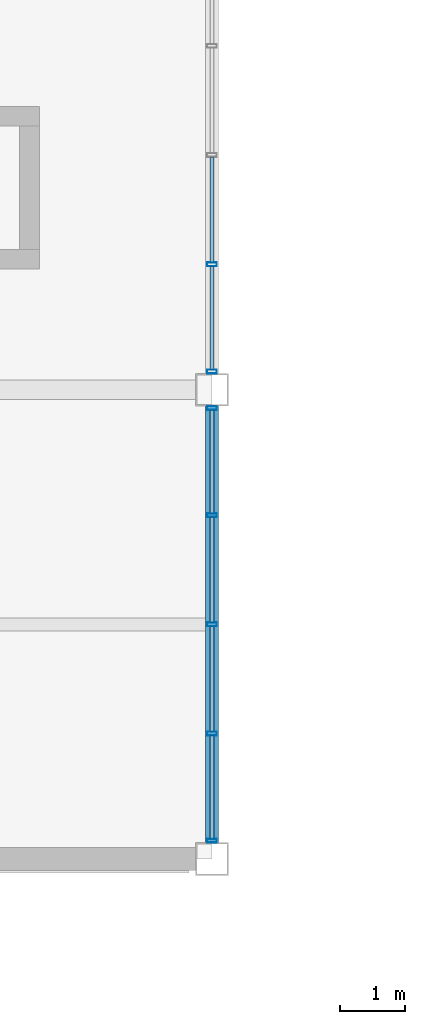
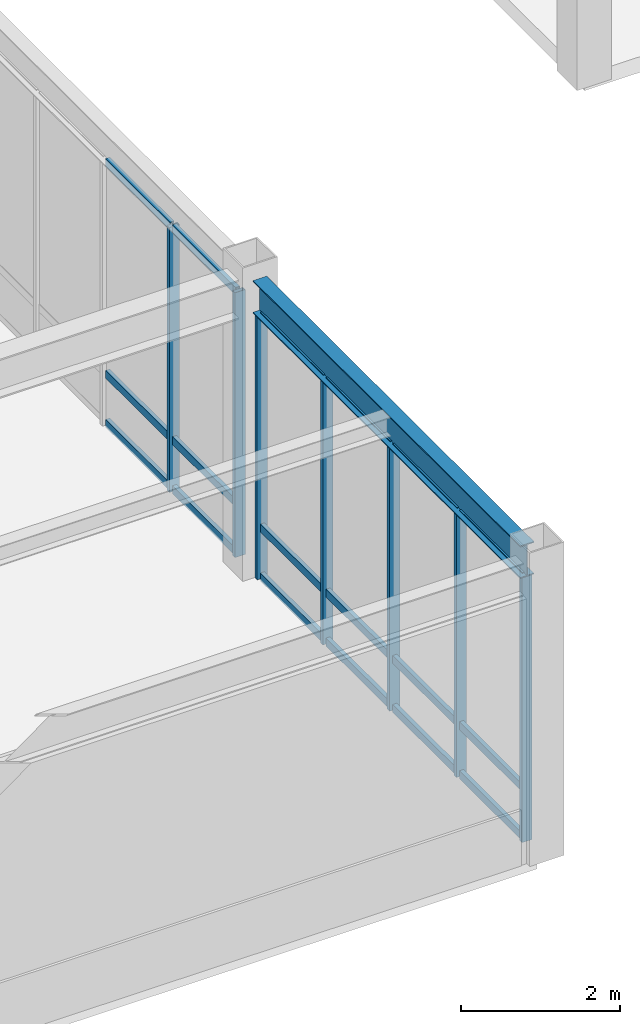
# One storey, part 16 of 112: 25 members, 1 beam, 2 elements without a shape of their own.
"""IFC4 building model written with IfcOpenShell, lengths in metres."""

from ifc_helpers import new_model, si_unit, direction, frame, origin, origin_2d, place, context, subcontext, project, spatial, hollow_rectangle, i_section, extrude, material, material_profile, profile_set, type_object, element, aggregate, save


model = new_model("IFC4")

# Units and contexts
model_context = context("Model", 3, precision=1e-05, world=origin(), true_north=direction((0.0, 1.0)))
body_context = subcontext(model_context, "Body", "Model", "MODEL_VIEW")
ifc_project = project(units=[si_unit("LENGTHUNIT", "METRE"), si_unit("AREAUNIT", "SQUARE_METRE"), si_unit("VOLUMEUNIT", "CUBIC_METRE"), si_unit("PLANEANGLEUNIT", "RADIAN"), si_unit("MASSUNIT", "GRAM", prefix="KILO")], contexts=[model_context])

# Site, building, storey
site_placement = place(None, origin())
site = spatial("IfcSite", under=ifc_project, at=site_placement, CompositionType="ELEMENT")
building_placement = place(site_placement, origin())
building = spatial("IfcBuilding", under=site, at=building_placement, Name="Kazanami Central Library", CompositionType="ELEMENT")
storey_placement = place(building_placement, origin())
storey = spatial("IfcBuildingStorey", under=building, at=storey_placement, Name="L01", CompositionType="ELEMENT", Elevation=0.0)

# Beam
ifc_material_1 = material(Name="Steel SN490B (325 MPa)", Category="steel")
ifc_material_profile_1 = material_profile(ifc_material_1, i_section(OverallWidth=0.199951171875, OverallDepth=0.5, WebThickness=0.010009765625, FlangeThickness=0.01611328125, at=origin_2d()), Name="H-500x200x10x16")
ifc_profile_set_1 = profile_set([ifc_material_profile_1], Name="Steel SN490B (325 MPa)")
beam_type = type_object("IfcBeamType", Name="BM-SP-1", PredefinedType="SPANDREL", material=ifc_profile_set_1)
beam_placement = place(storey_placement, frame((36.0, 0.248046875, 4.304931640625), z_axis=(0.0, 1.0, 0.0), x_axis=(-1.0, 0.0, 0.0)))
element("IfcBeam", 1, at=beam_placement, inside=storey, type_object=beam_type, Name="Girder SP-1 L01 5/A-B", PredefinedType="SPANDREL", context=body_context, shape_type="SweptSolid", body=[
    extrude(i_section(OverallWidth=0.199951171875, OverallDepth=0.5, WebThickness=0.010009765625, FlangeThickness=0.01611328125, at=origin_2d()), origin(), (0.0, 0.0, 1.0), 6.703857421875),
])

# Curtain wall, members
ifc_material_2 = material(Name="Acid-Etched Low-E Laminated Glass", Category="glass")
curtain_wall_type = type_object("IfcCurtainWallType", Name="CW-6700x4055-M180", PredefinedType="USERDEFINED", material=ifc_material_2)
curtain_wall_1_placement = place(storey_placement, origin())
curtain_wall_1 = element("IfcCurtainWall", 2, at=curtain_wall_1_placement, inside=storey, type_object=curtain_wall_type, Name="Covered Link Bridge Curtain Wall CW-09 L01 E-5-00", ObjectType="UNITISED CURTAIN WALL", PredefinedType="USERDEFINED")
ifc_material_3 = material(Name="Anodised Aluminium A6063-T5", Category="aluminium")
ifc_material_profile_2 = material_profile(ifc_material_3, hollow_rectangle(XDim=0.06005859375, YDim=0.14990234375, WallThickness=0.00390625, at=origin_2d()), Name="ALU-MULL-60x150x4")
ifc_profile_set_2 = profile_set([ifc_material_profile_2], Name="Anodised Aluminium A6063-T5")
member_type_1 = type_object("IfcMemberType", Name="MEM-CW-M3", PredefinedType="MULLION", material=ifc_profile_set_2)
member_1_placement = place(storey_placement, frame((36.0, 6.919921875, 0.0), z_axis=(0.0, 0.0, 1.0), x_axis=(0.0, -1.0, 0.0)))
member_1 = element("IfcMember", 3, at=member_1_placement, type_object=member_type_1, Name="CW-09 mullion 1", PredefinedType="MULLION", context=body_context, shape_type="SweptSolid", body=[
    extrude(hollow_rectangle(XDim=0.06005859375, YDim=0.14990234375, WallThickness=0.00390625, at=origin_2d()), origin(), (0.0, 0.0, 1.0), 4.054931640625),
])
member_2_placement = place(storey_placement, frame((36.0, 5.27490234375, 0.0), z_axis=(0.0, 0.0, 1.0), x_axis=(0.0, -1.0, 0.0)))
member_2 = element("IfcMember", 4, at=member_2_placement, type_object=member_type_1, Name="CW-09 mullion 2", PredefinedType="MULLION", context=body_context, shape_type="SweptSolid", body=[
    extrude(hollow_rectangle(XDim=0.06005859375, YDim=0.14990234375, WallThickness=0.00390625, at=origin_2d()), origin(), (0.0, 0.0, 1.0), 4.054931640625),
])
member_3_placement = place(storey_placement, frame((36.0, 3.60009765625, 0.0), z_axis=(0.0, 0.0, 1.0), x_axis=(0.0, -1.0, 0.0)))
member_3 = element("IfcMember", 5, at=member_3_placement, type_object=member_type_1, Name="CW-09 mullion 3", PredefinedType="MULLION", context=body_context, shape_type="SweptSolid", body=[
    extrude(hollow_rectangle(XDim=0.06005859375, YDim=0.14990234375, WallThickness=0.00390625, at=origin_2d()), origin(), (0.0, 0.0, 1.0), 4.054931640625),
])
member_4_placement = place(storey_placement, frame((36.0, 1.925048828125, 0.0), z_axis=(0.0, 0.0, 1.0), x_axis=(0.0, -1.0, 0.0)))
member_4 = element("IfcMember", 6, at=member_4_placement, type_object=member_type_1, Name="CW-09 mullion 4", PredefinedType="MULLION", context=body_context, shape_type="SweptSolid", body=[
    extrude(hollow_rectangle(XDim=0.06005859375, YDim=0.14990234375, WallThickness=0.00390625, at=origin_2d()), origin(), (0.0, 0.0, 1.0), 4.054931640625),
])
member_5_placement = place(storey_placement, frame((36.0, 0.280029296875, 0.0), z_axis=(0.0, 0.0, 1.0), x_axis=(0.0, -1.0, 0.0)))
member_5 = element("IfcMember", 7, at=member_5_placement, type_object=member_type_1, Name="CW-09 mullion 5", PredefinedType="MULLION", context=body_context, shape_type="SweptSolid", body=[
    extrude(hollow_rectangle(XDim=0.06005859375, YDim=0.14990234375, WallThickness=0.00390625, at=origin_2d()), origin(), (0.0, 0.0, 1.0), 4.054931640625),
])

curtain_wall_2_placement = place(storey_placement, origin())
curtain_wall_2 = element("IfcCurtainWall", 8, at=curtain_wall_2_placement, inside=storey, type_object=curtain_wall_type, Name="Covered Link Bridge Curtain Wall CW-09 L01 E-5-01", ObjectType="UNITISED CURTAIN WALL", PredefinedType="USERDEFINED")
member_6_placement = place(storey_placement, frame((36.0, 9.125, 0.0), z_axis=(0.0, 0.0, 1.0), x_axis=(0.0, -1.0, 0.0)))
member_6 = element("IfcMember", 9, at=member_6_placement, type_object=member_type_1, Name="CW-09 mullion 4", PredefinedType="MULLION", context=body_context, shape_type="SweptSolid", body=[
    extrude(hollow_rectangle(XDim=0.06005859375, YDim=0.14990234375, WallThickness=0.00390625, at=origin_2d()), origin(), (0.0, 0.0, 1.0), 4.054931640625),
])
member_7_placement = place(storey_placement, frame((36.0, 7.47998046875, 0.0), z_axis=(0.0, 0.0, 1.0), x_axis=(0.0, -1.0, 0.0)))
member_7 = element("IfcMember", 10, at=member_7_placement, type_object=member_type_1, Name="CW-09 mullion 5", PredefinedType="MULLION", context=body_context, shape_type="SweptSolid", body=[
    extrude(hollow_rectangle(XDim=0.06005859375, YDim=0.14990234375, WallThickness=0.00390625, at=origin_2d()), origin(), (0.0, 0.0, 1.0), 4.054931640625),
])

# Member
ifc_material_profile_3 = material_profile(ifc_material_3, hollow_rectangle(XDim=0.06005859375, YDim=0.1201171875, WallThickness=0.00341796875, at=origin_2d()), Name="ALU-TRAN-60x120x3.5")
ifc_profile_set_3 = profile_set([ifc_material_profile_3], Name="Anodised Aluminium A6063-T5")
member_type_2 = type_object("IfcMemberType", Name="MEM-CW-T3", PredefinedType="USERDEFINED", material=ifc_profile_set_3)
member_8_placement = place(storey_placement, frame((36.0, 6.889892578125, 0.030029296875), z_axis=(0.0, -1.0, 0.0), x_axis=(1.0, 0.0, 0.0)))
member_8 = element("IfcMember", 11, at=member_8_placement, type_object=member_type_2, Name="CW-09 transom 1.1", ObjectType="TRANSOM", PredefinedType="USERDEFINED", context=body_context, shape_type="SweptSolid", body=[
    extrude(hollow_rectangle(XDim=0.06005859375, YDim=0.1201171875, WallThickness=0.00341796875, at=origin_2d()), origin(), (0.0, 0.0, 1.0), 1.5849609375),
])

member_9_placement = place(storey_placement, frame((36.0, 6.889892578125, 0.780029296875), z_axis=(0.0, -1.0, 0.0), x_axis=(1.0, 0.0, 0.0)))
member_9 = element("IfcMember", 12, at=member_9_placement, type_object=member_type_2, Name="CW-09 transom 1.2", ObjectType="TRANSOM", PredefinedType="USERDEFINED", context=body_context, shape_type="SweptSolid", body=[
    extrude(hollow_rectangle(XDim=0.06005859375, YDim=0.1201171875, WallThickness=0.00341796875, at=origin_2d()), origin(), (0.0, 0.0, 1.0), 1.5849609375),
])

member_10_placement = place(storey_placement, frame((36.0, 6.889892578125, 4.02490234375), z_axis=(0.0, -1.0, 0.0), x_axis=(1.0, 0.0, 0.0)))
member_10 = element("IfcMember", 13, at=member_10_placement, type_object=member_type_2, Name="CW-09 transom 1.3", ObjectType="TRANSOM", PredefinedType="USERDEFINED", context=body_context, shape_type="SweptSolid", body=[
    extrude(hollow_rectangle(XDim=0.06005859375, YDim=0.1201171875, WallThickness=0.00341796875, at=origin_2d()), origin(), (0.0, 0.0, 1.0), 1.5849609375),
])

member_11_placement = place(storey_placement, frame((36.0, 5.2451171875, 0.030029296875), z_axis=(0.0, -1.0, 0.0), x_axis=(1.0, 0.0, 0.0)))
member_11 = element("IfcMember", 14, at=member_11_placement, type_object=member_type_2, Name="CW-09 transom 2.1", ObjectType="TRANSOM", PredefinedType="USERDEFINED", context=body_context, shape_type="SweptSolid", body=[
    extrude(hollow_rectangle(XDim=0.06005859375, YDim=0.1201171875, WallThickness=0.00341796875, at=origin_2d()), origin(), (0.0, 0.0, 1.0), 1.615234375),
])

member_12_placement = place(storey_placement, frame((36.0, 5.2451171875, 0.780029296875), z_axis=(0.0, -1.0, 0.0), x_axis=(1.0, 0.0, 0.0)))
member_12 = element("IfcMember", 15, at=member_12_placement, type_object=member_type_2, Name="CW-09 transom 2.2", ObjectType="TRANSOM", PredefinedType="USERDEFINED", context=body_context, shape_type="SweptSolid", body=[
    extrude(hollow_rectangle(XDim=0.06005859375, YDim=0.1201171875, WallThickness=0.00341796875, at=origin_2d()), origin(), (0.0, 0.0, 1.0), 1.615234375),
])

member_13_placement = place(storey_placement, frame((36.0, 5.2451171875, 4.02490234375), z_axis=(0.0, -1.0, 0.0), x_axis=(1.0, 0.0, 0.0)))
member_13 = element("IfcMember", 16, at=member_13_placement, type_object=member_type_2, Name="CW-09 transom 2.3", ObjectType="TRANSOM", PredefinedType="USERDEFINED", context=body_context, shape_type="SweptSolid", body=[
    extrude(hollow_rectangle(XDim=0.06005859375, YDim=0.1201171875, WallThickness=0.00341796875, at=origin_2d()), origin(), (0.0, 0.0, 1.0), 1.615234375),
])

member_14_placement = place(storey_placement, frame((36.0, 3.570068359375, 0.030029296875), z_axis=(0.0, -1.0, 0.0), x_axis=(1.0, 0.0, 0.0)))
member_14 = element("IfcMember", 17, at=member_14_placement, type_object=member_type_2, Name="CW-09 transom 3.1", ObjectType="TRANSOM", PredefinedType="USERDEFINED", context=body_context, shape_type="SweptSolid", body=[
    extrude(hollow_rectangle(XDim=0.06005859375, YDim=0.1201171875, WallThickness=0.00341796875, at=origin_2d()), origin(), (0.0, 0.0, 1.0), 1.614990234375),
])

member_15_placement = place(storey_placement, frame((36.0, 3.570068359375, 0.780029296875), z_axis=(0.0, -1.0, 0.0), x_axis=(1.0, 0.0, 0.0)))
member_15 = element("IfcMember", 18, at=member_15_placement, type_object=member_type_2, Name="CW-09 transom 3.2", ObjectType="TRANSOM", PredefinedType="USERDEFINED", context=body_context, shape_type="SweptSolid", body=[
    extrude(hollow_rectangle(XDim=0.06005859375, YDim=0.1201171875, WallThickness=0.00341796875, at=origin_2d()), origin(), (0.0, 0.0, 1.0), 1.614990234375),
])

member_16_placement = place(storey_placement, frame((36.0, 3.570068359375, 4.02490234375), z_axis=(0.0, -1.0, 0.0), x_axis=(1.0, 0.0, 0.0)))
member_16 = element("IfcMember", 19, at=member_16_placement, type_object=member_type_2, Name="CW-09 transom 3.3", ObjectType="TRANSOM", PredefinedType="USERDEFINED", context=body_context, shape_type="SweptSolid", body=[
    extrude(hollow_rectangle(XDim=0.06005859375, YDim=0.1201171875, WallThickness=0.00341796875, at=origin_2d()), origin(), (0.0, 0.0, 1.0), 1.614990234375),
])

member_17_placement = place(storey_placement, frame((36.0, 1.89501953125, 0.030029296875), z_axis=(0.0, -1.0, 0.0), x_axis=(1.0, 0.0, 0.0)))
member_17 = element("IfcMember", 20, at=member_17_placement, type_object=member_type_2, Name="CW-09 transom 4.1", ObjectType="TRANSOM", PredefinedType="USERDEFINED", context=body_context, shape_type="SweptSolid", body=[
    extrude(hollow_rectangle(XDim=0.06005859375, YDim=0.1201171875, WallThickness=0.00341796875, at=origin_2d()), origin(), (0.0, 0.0, 1.0), 1.5849609375),
])

member_18_placement = place(storey_placement, frame((36.0, 1.89501953125, 0.780029296875), z_axis=(0.0, -1.0, 0.0), x_axis=(1.0, 0.0, 0.0)))
member_18 = element("IfcMember", 21, at=member_18_placement, type_object=member_type_2, Name="CW-09 transom 4.2", ObjectType="TRANSOM", PredefinedType="USERDEFINED", context=body_context, shape_type="SweptSolid", body=[
    extrude(hollow_rectangle(XDim=0.06005859375, YDim=0.1201171875, WallThickness=0.00341796875, at=origin_2d()), origin(), (0.0, 0.0, 1.0), 1.5849609375),
])

member_19_placement = place(storey_placement, frame((36.0, 1.89501953125, 4.02490234375), z_axis=(0.0, -1.0, 0.0), x_axis=(1.0, 0.0, 0.0)))
member_19 = element("IfcMember", 22, at=member_19_placement, type_object=member_type_2, Name="CW-09 transom 4.3", ObjectType="TRANSOM", PredefinedType="USERDEFINED", context=body_context, shape_type="SweptSolid", body=[
    extrude(hollow_rectangle(XDim=0.06005859375, YDim=0.1201171875, WallThickness=0.00341796875, at=origin_2d()), origin(), (0.0, 0.0, 1.0), 1.5849609375),
])

aggregate(curtain_wall_1, [member_1, member_2, member_3, member_4, member_5, member_8, member_9, member_10, member_11, member_12, member_13, member_14, member_15, member_16, member_17, member_18, member_19])

member_20_placement = place(storey_placement, frame((36.0, 10.77001953125, 0.030029296875), z_axis=(0.0, -1.0, 0.0), x_axis=(1.0, 0.0, 0.0)))
member_20 = element("IfcMember", 23, at=member_20_placement, type_object=member_type_2, Name="CW-09 transom 3.1", ObjectType="TRANSOM", PredefinedType="USERDEFINED", context=body_context, shape_type="SweptSolid", body=[
    extrude(hollow_rectangle(XDim=0.06005859375, YDim=0.1201171875, WallThickness=0.00341796875, at=origin_2d()), origin(), (0.0, 0.0, 1.0), 1.614990234375),
])

member_21_placement = place(storey_placement, frame((36.0, 10.77001953125, 0.780029296875), z_axis=(0.0, -1.0, 0.0), x_axis=(1.0, 0.0, 0.0)))
member_21 = element("IfcMember", 24, at=member_21_placement, type_object=member_type_2, Name="CW-09 transom 3.2", ObjectType="TRANSOM", PredefinedType="USERDEFINED", context=body_context, shape_type="SweptSolid", body=[
    extrude(hollow_rectangle(XDim=0.06005859375, YDim=0.1201171875, WallThickness=0.00341796875, at=origin_2d()), origin(), (0.0, 0.0, 1.0), 1.614990234375),
])

member_22_placement = place(storey_placement, frame((36.0, 10.77001953125, 4.02490234375), z_axis=(0.0, -1.0, 0.0), x_axis=(1.0, 0.0, 0.0)))
member_22 = element("IfcMember", 25, at=member_22_placement, type_object=member_type_2, Name="CW-09 transom 3.3", ObjectType="TRANSOM", PredefinedType="USERDEFINED", context=body_context, shape_type="SweptSolid", body=[
    extrude(hollow_rectangle(XDim=0.06005859375, YDim=0.1201171875, WallThickness=0.00341796875, at=origin_2d()), origin(), (0.0, 0.0, 1.0), 1.614990234375),
])

member_23_placement = place(storey_placement, frame((36.0, 9.094970703125, 0.030029296875), z_axis=(0.0, -1.0, 0.0), x_axis=(1.0, 0.0, 0.0)))
member_23 = element("IfcMember", 26, at=member_23_placement, type_object=member_type_2, Name="CW-09 transom 4.1", ObjectType="TRANSOM", PredefinedType="USERDEFINED", context=body_context, shape_type="SweptSolid", body=[
    extrude(hollow_rectangle(XDim=0.06005859375, YDim=0.1201171875, WallThickness=0.00341796875, at=origin_2d()), origin(), (0.0, 0.0, 1.0), 1.5849609375),
])

member_24_placement = place(storey_placement, frame((36.0, 9.094970703125, 0.780029296875), z_axis=(0.0, -1.0, 0.0), x_axis=(1.0, 0.0, 0.0)))
member_24 = element("IfcMember", 27, at=member_24_placement, type_object=member_type_2, Name="CW-09 transom 4.2", ObjectType="TRANSOM", PredefinedType="USERDEFINED", context=body_context, shape_type="SweptSolid", body=[
    extrude(hollow_rectangle(XDim=0.06005859375, YDim=0.1201171875, WallThickness=0.00341796875, at=origin_2d()), origin(), (0.0, 0.0, 1.0), 1.5849609375),
])

member_25_placement = place(storey_placement, frame((36.0, 9.094970703125, 4.02490234375), z_axis=(0.0, -1.0, 0.0), x_axis=(1.0, 0.0, 0.0)))
member_25 = element("IfcMember", 28, at=member_25_placement, type_object=member_type_2, Name="CW-09 transom 4.3", ObjectType="TRANSOM", PredefinedType="USERDEFINED", context=body_context, shape_type="SweptSolid", body=[
    extrude(hollow_rectangle(XDim=0.06005859375, YDim=0.1201171875, WallThickness=0.00341796875, at=origin_2d()), origin(), (0.0, 0.0, 1.0), 1.5849609375),
])

aggregate(curtain_wall_2, [member_6, member_7, member_20, member_21, member_22, member_23, member_24, member_25])

save(model, "model.ifc")
